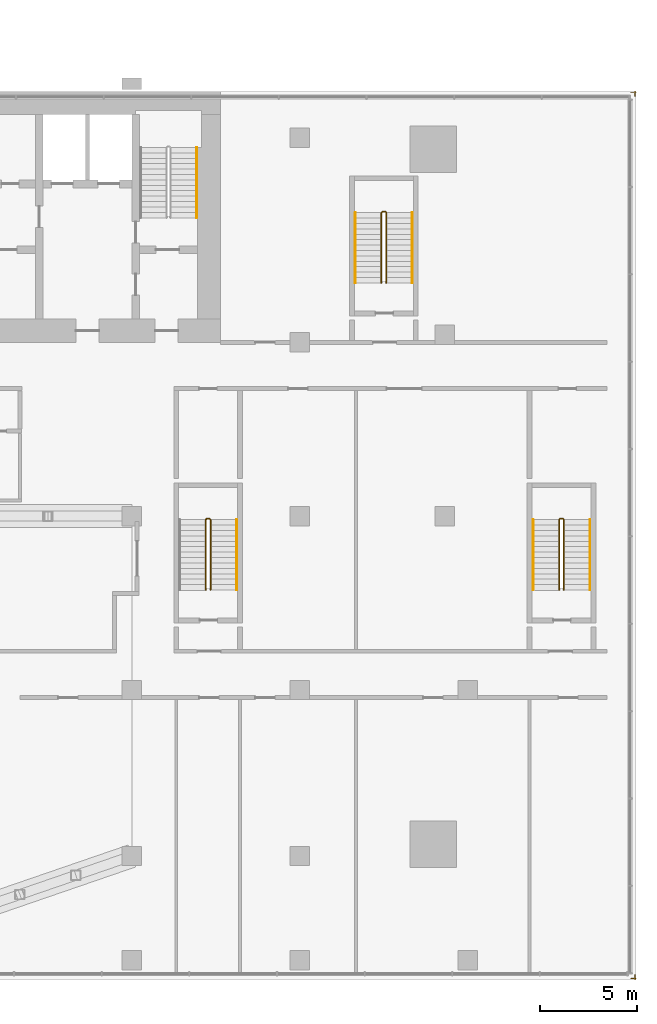
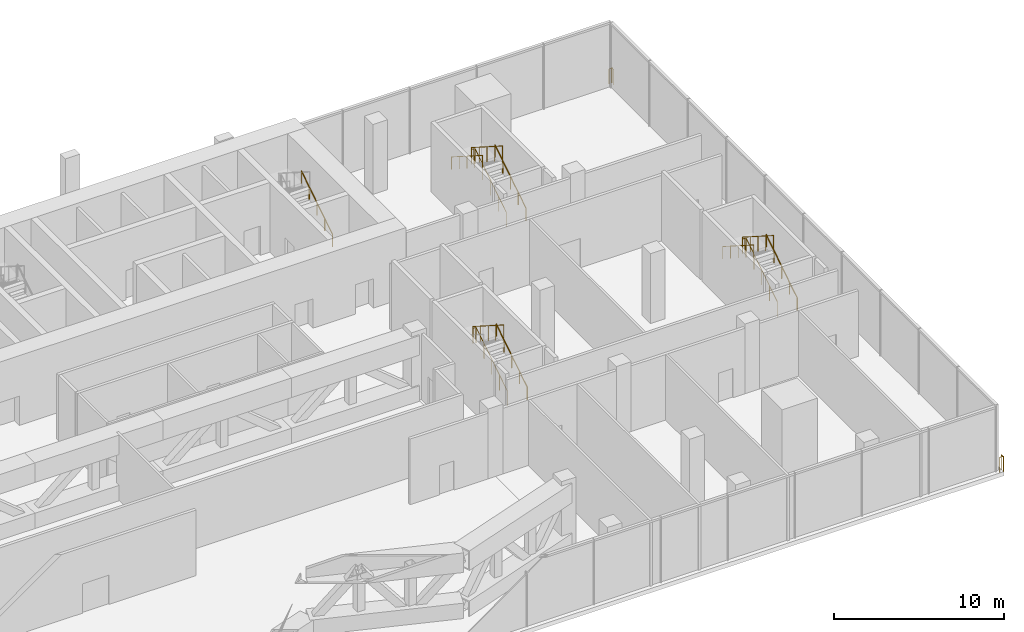
# One storey, part 22 of 22: 11 railings.
"""IFC4 building model written with IfcOpenShell, lengths in metres."""

from ifc_helpers import new_model, si_unit, direction, frame, origin, origin_2d, place, context, subcontext, project, spatial, circle, extrude, material, type_object, element, save


model = new_model("IFC4")

# Units and contexts
model_context = context("Model", 3, precision=1e-05, world=origin(), true_north=direction((0.0, 1.0)))
body_context = subcontext(model_context, "Body", "Model", "MODEL_VIEW")
ifc_project = project(units=[si_unit("LENGTHUNIT", "METRE"), si_unit("AREAUNIT", "SQUARE_METRE"), si_unit("VOLUMEUNIT", "CUBIC_METRE"), si_unit("PLANEANGLEUNIT", "RADIAN"), si_unit("MASSUNIT", "GRAM", prefix="KILO")], contexts=[model_context])

# Site, building, storey
site_placement = place(None, origin())
site = spatial("IfcSite", under=ifc_project, at=site_placement, CompositionType="ELEMENT")
building_placement = place(site_placement, origin())
building = spatial("IfcBuilding", under=site, at=building_placement, Name="Bicima Exchange Tower", CompositionType="ELEMENT")
storey_placement = place(building_placement, frame((0.0, 0.0, 20.0)))
storey = spatial("IfcBuildingStorey", under=building, at=storey_placement, Name="L03", CompositionType="ELEMENT", Elevation=20.0)

# Railings
ifc_material_1 = material(Name="Stainless steel and bonded safety glass", Category="steel")
railing_type_1 = type_object("IfcRailingType", Name="Edge guard 1100", PredefinedType="GUARDRAIL", material=ifc_material_1)
railing_1_placement = place(storey_placement, frame((43.25, -0.050048828125, 0.0)))
element("IfcRailing", 1, at=railing_1_placement, inside=storey, type_object=railing_type_1, Name="Edge guard L03 10", PredefinedType="GUARDRAIL", context=body_context, shape_type="SweptSolid", body=[
    extrude(circle(Radius=0.02392578125, at=origin_2d()), frame((0.0, 0.0, 1.076171875), z_axis=(1.0, 0.0, 0.0), x_axis=(0.0, 1.0, 0.0)), (0.0, 0.0, 1.0), 0.25),
    extrude(circle(Radius=0.02392578125, at=origin_2d()), frame((0.25, 0.0, 1.076171875), z_axis=(-0.707106781187, 0.707106781187, 0.0), x_axis=(-0.707106781187, -0.707106781187, 0.0)), (0.0, 0.0, 1.0), 0.07080078125),
    extrude(circle(Radius=0.02392578125, at=origin_2d()), frame((0.199951171875, 0.050048828125, 1.076171875), z_axis=(0.0, -1.0, 0.0), x_axis=(1.0, 0.0, 0.0)), (0.0, 0.0, 1.0), 0.25),
    extrude(circle(Radius=0.02099609375, at=origin_2d()), origin(), (0.0, 0.0, 1.0), 1.052001953125),
    extrude(circle(Radius=0.02099609375, at=origin_2d()), frame((0.25, 0.0, 0.0)), (0.0, 0.0, 1.0), 1.052001953125),
    extrude(circle(Radius=0.02099609375, at=origin_2d()), frame((0.199951171875, 0.050048828125, 0.0)), (0.0, 0.0, 1.0), 1.052001953125),
    extrude(circle(Radius=0.02099609375, at=origin_2d()), frame((0.199951171875, -0.199951171875, 0.0)), (0.0, 0.0, 1.0), 1.052001953125),
])
railing_2_placement = place(storey_placement, frame((43.449951171875, -45.75, 0.0)))
element("IfcRailing", 2, at=railing_2_placement, inside=storey, type_object=railing_type_1, Name="Edge guard L03 11", PredefinedType="GUARDRAIL", context=body_context, shape_type="SweptSolid", body=[
    extrude(circle(Radius=0.02392578125, at=origin_2d()), frame((0.0, 0.0, 1.076171875), z_axis=(0.0, -1.0, 0.0), x_axis=(1.0, 0.0, 0.0)), (0.0, 0.0, 1.0), 0.25),
    extrude(circle(Radius=0.02392578125, at=origin_2d()), frame((0.0, -0.25, 1.076171875), z_axis=(0.707106781187, 0.707106781187, 0.0), x_axis=(-0.707106781187, 0.707106781187, 0.0)), (0.0, 0.0, 1.0), 0.07080078125),
    extrude(circle(Radius=0.02392578125, at=origin_2d()), frame((0.050048828125, -0.199951171875, 1.076171875), z_axis=(-1.0, 0.0, 0.0), x_axis=(0.0, -1.0, 0.0)), (0.0, 0.0, 1.0), 0.25),
    extrude(circle(Radius=0.02099609375, at=origin_2d()), origin(), (0.0, 0.0, 1.0), 1.052001953125),
    extrude(circle(Radius=0.02099609375, at=origin_2d()), frame((0.0, -0.25, 0.0)), (0.0, 0.0, 1.0), 1.052001953125),
    extrude(circle(Radius=0.02099609375, at=origin_2d()), frame((0.050048828125, -0.199951171875, 0.0)), (0.0, 0.0, 1.0), 1.052001953125),
    extrude(circle(Radius=0.02099609375, at=origin_2d()), frame((-0.199951171875, -0.199951171875, 0.0)), (0.0, 0.0, 1.0), 1.052001953125),
])
ifc_material_2 = material(Name="Stainless steel", Category="steel")
railing_type_2 = type_object("IfcRailingType", Name="Stair guard 1100", PredefinedType="GUARDRAIL", material=ifc_material_2)
railing_3_placement = place(storey_placement, frame((30.574951171875, -9.925048828125, 0.178466796875)))
element("IfcRailing", 3, at=railing_3_placement, inside=storey, type_object=railing_type_2, Name="L03 ST-EE stair guard 1", PredefinedType="GUARDRAIL", context=body_context, shape_type="SweptSolid", body=[
    extrude(circle(Radius=0.02392578125, at=origin_2d()), frame((0.0, 0.0, 1.076171875), z_axis=(0.0, 0.843127859045, 0.537713132908), x_axis=(-1.0, 0.0, 0.0)), (0.0, 0.0, 1.0), 4.3173828125),
    extrude(circle(Radius=0.02392578125, at=origin_2d()), frame((0.0, 3.64013671875, 3.3974609375), z_axis=(-0.708833529934, 0.705375805398, 0.0), x_axis=(-0.705375805398, -0.708833529934, 0.0)), (0.0, 0.0, 1.0), 0.070556640625),
    extrude(circle(Radius=0.02392578125, at=origin_2d()), frame((-0.050048828125, 3.68994140625, 3.3974609375), z_axis=(-1.0, 0.0, 0.0), x_axis=(0.0, -1.0, 0.0)), (0.0, 0.0, 1.0), 0.14990234375),
    extrude(circle(Radius=0.02392578125, at=origin_2d()), frame((-0.199951171875, 3.68994140625, 3.3974609375), z_axis=(-0.26077077684, -0.25949872427, 0.929870428634), x_axis=(0.705375805398, -0.708833529934, 0.0)), (0.0, 0.0, 1.0), 0.19189453125),
    extrude(circle(Radius=0.02392578125, at=origin_2d()), frame((-0.25, 3.64013671875, 3.576171875), z_axis=(0.0, -0.843127859045, 0.537713132908), x_axis=(1.0, 0.0, 0.0)), (0.0, 0.0, 1.0), 4.3173828125),
    extrude(circle(Radius=0.02099609375, at=origin_2d()), origin(), (0.0, 0.0, 1.0), 1.052001953125),
    extrude(circle(Radius=0.02099609375, at=origin_2d()), frame((0.0, 0.91015625, 0.580322265625)), (0.0, 0.0, 1.0), 1.052001953125),
    extrude(circle(Radius=0.02099609375, at=origin_2d()), frame((0.0, 1.820068359375, 1.16064453125)), (0.0, 0.0, 1.0), 1.052001953125),
    extrude(circle(Radius=0.02099609375, at=origin_2d()), frame((0.0, 2.72998046875, 1.7412109375)), (0.0, 0.0, 1.0), 1.052001953125),
    extrude(circle(Radius=0.02099609375, at=origin_2d()), frame((0.0, 3.64013671875, 2.321533203125)), (0.0, 0.0, 1.0), 1.052001953125),
    extrude(circle(Radius=0.02099609375, at=origin_2d()), frame((-0.050048828125, 3.68994140625, 2.321533203125)), (0.0, 0.0, 1.0), 1.052001953125),
    extrude(circle(Radius=0.02099609375, at=origin_2d()), frame((-0.199951171875, 3.68994140625, 2.321533203125)), (0.0, 0.0, 1.0), 1.052001953125),
    extrude(circle(Radius=0.02099609375, at=origin_2d()), frame((-0.25, 3.64013671875, 2.5)), (0.0, 0.0, 1.0), 1.052001953125),
    extrude(circle(Radius=0.02099609375, at=origin_2d()), frame((-0.25, 2.72998046875, 3.080322265625)), (0.0, 0.0, 1.0), 1.052001953125),
    extrude(circle(Radius=0.02099609375, at=origin_2d()), frame((-0.25, 1.820068359375, 3.66064453125)), (0.0, 0.0, 1.0), 1.052001953125),
    extrude(circle(Radius=0.02099609375, at=origin_2d()), frame((-0.25, 0.91015625, 4.2412109375)), (0.0, 0.0, 1.0), 1.052001953125),
    extrude(circle(Radius=0.02099609375, at=origin_2d()), frame((-0.25, 0.0, 4.821533203125)), (0.0, 0.0, 1.0), 1.052001953125),
])
railing_4_placement = place(storey_placement, frame((21.47509765625, -25.824951171875, 0.178466796875)))
element("IfcRailing", 4, at=railing_4_placement, inside=storey, type_object=railing_type_2, Name="L03 PS-EI stair guard 1", PredefinedType="GUARDRAIL", context=body_context, shape_type="SweptSolid", body=[
    extrude(circle(Radius=0.02392578125, at=origin_2d()), frame((0.0, 0.0, 1.076171875), z_axis=(0.0, 0.843111507901, 0.53773877045), x_axis=(-1.0, 0.0, 0.0)), (0.0, 0.0, 1.0), 4.317138671875),
    extrude(circle(Radius=0.02392578125, at=origin_2d()), frame((0.0, 3.639892578125, 3.3974609375), z_axis=(-0.707106781187, 0.707106781187, 0.0), x_axis=(-0.707106781187, -0.707106781187, 0.0)), (0.0, 0.0, 1.0), 0.07080078125),
    extrude(circle(Radius=0.02392578125, at=origin_2d()), frame((-0.050048828125, 3.68994140625, 3.3974609375), z_axis=(-1.0, 0.0, 0.0), x_axis=(0.0, -1.0, 0.0)), (0.0, 0.0, 1.0), 0.150146484375),
    extrude(circle(Radius=0.02392578125, at=origin_2d()), frame((-0.2001953125, 3.68994140625, 3.3974609375), z_axis=(-0.25949872427, -0.26077077684, 0.929870428634), x_axis=(0.708833529934, -0.705375805398, 0.0)), (0.0, 0.0, 1.0), 0.19189453125),
    extrude(circle(Radius=0.02392578125, at=origin_2d()), frame((-0.25, 3.639892578125, 3.576171875), z_axis=(0.0, -0.843111507901, 0.53773877045), x_axis=(1.0, 0.0, 0.0)), (0.0, 0.0, 1.0), 4.317138671875),
    extrude(circle(Radius=0.02099609375, at=origin_2d()), origin(), (0.0, 0.0, 1.0), 1.052001953125),
    extrude(circle(Radius=0.02099609375, at=origin_2d()), frame((0.0, 0.909912109375, 0.580322265625)), (0.0, 0.0, 1.0), 1.052001953125),
    extrude(circle(Radius=0.02099609375, at=origin_2d()), frame((0.0, 1.81982421875, 1.16064453125)), (0.0, 0.0, 1.0), 1.052001953125),
    extrude(circle(Radius=0.02099609375, at=origin_2d()), frame((0.0, 2.72998046875, 1.7412109375)), (0.0, 0.0, 1.0), 1.052001953125),
    extrude(circle(Radius=0.02099609375, at=origin_2d()), frame((0.0, 3.639892578125, 2.321533203125)), (0.0, 0.0, 1.0), 1.052001953125),
    extrude(circle(Radius=0.02099609375, at=origin_2d()), frame((-0.050048828125, 3.68994140625, 2.321533203125)), (0.0, 0.0, 1.0), 1.052001953125),
    extrude(circle(Radius=0.02099609375, at=origin_2d()), frame((-0.2001953125, 3.68994140625, 2.321533203125)), (0.0, 0.0, 1.0), 1.052001953125),
    extrude(circle(Radius=0.02099609375, at=origin_2d()), frame((-0.25, 3.639892578125, 2.5)), (0.0, 0.0, 1.0), 1.052001953125),
    extrude(circle(Radius=0.02099609375, at=origin_2d()), frame((-0.25, 2.72998046875, 3.080322265625)), (0.0, 0.0, 1.0), 1.052001953125),
    extrude(circle(Radius=0.02099609375, at=origin_2d()), frame((-0.25, 1.81982421875, 3.66064453125)), (0.0, 0.0, 1.0), 1.052001953125),
    extrude(circle(Radius=0.02099609375, at=origin_2d()), frame((-0.25, 0.909912109375, 4.2412109375)), (0.0, 0.0, 1.0), 1.052001953125),
    extrude(circle(Radius=0.02099609375, at=origin_2d()), frame((-0.25, 0.0, 4.821533203125)), (0.0, 0.0, 1.0), 1.052001953125),
])
railing_5_placement = place(storey_placement, frame((39.77490234375, -25.824951171875, 0.178466796875)))
element("IfcRailing", 5, at=railing_5_placement, inside=storey, type_object=railing_type_2, Name="L03 PS-E stair guard 1", PredefinedType="GUARDRAIL", context=body_context, shape_type="SweptSolid", body=[
    extrude(circle(Radius=0.02392578125, at=origin_2d()), frame((0.0, 0.0, 1.076171875), z_axis=(0.0, 0.843111507901, 0.53773877045), x_axis=(-1.0, 0.0, 0.0)), (0.0, 0.0, 1.0), 4.317138671875),
    extrude(circle(Radius=0.02392578125, at=origin_2d()), frame((0.0, 3.639892578125, 3.3974609375), z_axis=(-0.705375805398, 0.708833529934, 0.0), x_axis=(-0.708833529934, -0.705375805398, 0.0)), (0.0, 0.0, 1.0), 0.070556640625),
    extrude(circle(Radius=0.02392578125, at=origin_2d()), frame((-0.0498046875, 3.68994140625, 3.3974609375), z_axis=(-1.0, 0.0, 0.0), x_axis=(0.0, -1.0, 0.0)), (0.0, 0.0, 1.0), 0.150146484375),
    extrude(circle(Radius=0.02392578125, at=origin_2d()), frame((-0.199951171875, 3.68994140625, 3.3974609375), z_axis=(-0.260684529273, -0.260684529273, 0.929562882432), x_axis=(0.707106781187, -0.707106781187, 0.0)), (0.0, 0.0, 1.0), 0.19189453125),
    extrude(circle(Radius=0.02392578125, at=origin_2d()), frame((-0.25, 3.639892578125, 3.576171875), z_axis=(0.0, -0.843111507901, 0.53773877045), x_axis=(1.0, 0.0, 0.0)), (0.0, 0.0, 1.0), 4.317138671875),
    extrude(circle(Radius=0.02099609375, at=origin_2d()), origin(), (0.0, 0.0, 1.0), 1.052001953125),
    extrude(circle(Radius=0.02099609375, at=origin_2d()), frame((0.0, 0.909912109375, 0.580322265625)), (0.0, 0.0, 1.0), 1.052001953125),
    extrude(circle(Radius=0.02099609375, at=origin_2d()), frame((0.0, 1.81982421875, 1.16064453125)), (0.0, 0.0, 1.0), 1.052001953125),
    extrude(circle(Radius=0.02099609375, at=origin_2d()), frame((0.0, 2.72998046875, 1.7412109375)), (0.0, 0.0, 1.0), 1.052001953125),
    extrude(circle(Radius=0.02099609375, at=origin_2d()), frame((0.0, 3.639892578125, 2.321533203125)), (0.0, 0.0, 1.0), 1.052001953125),
    extrude(circle(Radius=0.02099609375, at=origin_2d()), frame((-0.0498046875, 3.68994140625, 2.321533203125)), (0.0, 0.0, 1.0), 1.052001953125),
    extrude(circle(Radius=0.02099609375, at=origin_2d()), frame((-0.199951171875, 3.68994140625, 2.321533203125)), (0.0, 0.0, 1.0), 1.052001953125),
    extrude(circle(Radius=0.02099609375, at=origin_2d()), frame((-0.25, 3.639892578125, 2.5)), (0.0, 0.0, 1.0), 1.052001953125),
    extrude(circle(Radius=0.02099609375, at=origin_2d()), frame((-0.25, 2.72998046875, 3.080322265625)), (0.0, 0.0, 1.0), 1.052001953125),
    extrude(circle(Radius=0.02099609375, at=origin_2d()), frame((-0.25, 1.81982421875, 3.66064453125)), (0.0, 0.0, 1.0), 1.052001953125),
    extrude(circle(Radius=0.02099609375, at=origin_2d()), frame((-0.25, 0.909912109375, 4.2412109375)), (0.0, 0.0, 1.0), 1.052001953125),
    extrude(circle(Radius=0.02099609375, at=origin_2d()), frame((-0.25, 0.0, 4.821533203125)), (0.0, 0.0, 1.0), 1.052001953125),
])
railing_type_3 = type_object("IfcRailingType", Name="Stair handrail 900", PredefinedType="HANDRAIL", material=ifc_material_2)
for number, where, name in (
    (6, (20.75, -6.550048828125, 0.178466796875), "L03 ST-E stair handrail 1"),
    (7, (31.925048828125, -9.925048828125, 0.178466796875), "L03 ST-EE stair handrail 1"),
):
    element("IfcRailing", number, at=place(storey_placement, frame(where)), inside=storey, type_object=railing_type_3, Name=name, PredefinedType="HANDRAIL", context=body_context, shape_type="SweptSolid", body=[
        extrude(circle(Radius=0.02392578125, at=origin_2d()), frame((0.0, 0.0, 0.8759765625), z_axis=(0.0, 0.843127859045, 0.537713132908), x_axis=(-1.0, 0.0, 0.0)), (0.0, 0.0, 1.0), 4.3173828125),
        extrude(circle(Radius=0.02099609375, at=origin_2d()), origin(), (0.0, 0.0, 1.0), 0.851806640625),
        extrude(circle(Radius=0.02099609375, at=origin_2d()), frame((0.0, 0.91015625, 0.580322265625)), (0.0, 0.0, 1.0), 0.851806640625),
        extrude(circle(Radius=0.02099609375, at=origin_2d()), frame((0.0, 1.820068359375, 1.16064453125)), (0.0, 0.0, 1.0), 0.851806640625),
        extrude(circle(Radius=0.02099609375, at=origin_2d()), frame((0.0, 2.72998046875, 1.7412109375)), (0.0, 0.0, 1.0), 0.851806640625),
        extrude(circle(Radius=0.02099609375, at=origin_2d()), frame((0.0, 3.64013671875, 2.321533203125)), (0.0, 0.0, 1.0), 0.851806640625),
    ])
railing_6_placement = place(storey_placement, frame((28.97509765625, -6.284912109375, 2.678466796875)))
element("IfcRailing", 8, at=railing_6_placement, inside=storey, type_object=railing_type_3, Name="L03 ST-EE stair handrail 2", PredefinedType="HANDRAIL", context=body_context, shape_type="SweptSolid", body=[
    extrude(circle(Radius=0.02392578125, at=origin_2d()), frame((0.0, 0.0, 0.8759765625), z_axis=(0.0, -0.843127859045, 0.537713132908), x_axis=(1.0, 0.0, 0.0)), (0.0, 0.0, 1.0), 4.3173828125),
    extrude(circle(Radius=0.02099609375, at=origin_2d()), origin(), (0.0, 0.0, 1.0), 0.851806640625),
    extrude(circle(Radius=0.02099609375, at=origin_2d()), frame((0.0, -0.91015625, 0.580322265625)), (0.0, 0.0, 1.0), 0.851806640625),
    extrude(circle(Radius=0.02099609375, at=origin_2d()), frame((0.0, -1.820068359375, 1.16064453125)), (0.0, 0.0, 1.0), 0.851806640625),
    extrude(circle(Radius=0.02099609375, at=origin_2d()), frame((0.0, -2.72998046875, 1.7412109375)), (0.0, 0.0, 1.0), 0.851806640625),
    extrude(circle(Radius=0.02099609375, at=origin_2d()), frame((0.0, -3.64013671875, 2.321533203125)), (0.0, 0.0, 1.0), 0.851806640625),
])
for number, where, name in (
    (9, (22.824951171875, -25.824951171875, 0.178466796875), "L03 PS-EI stair handrail 1"),
    (10, (41.125, -25.824951171875, 0.178466796875), "L03 PS-E stair handrail 1"),
):
    element("IfcRailing", number, at=place(storey_placement, frame(where)), inside=storey, type_object=railing_type_3, Name=name, PredefinedType="HANDRAIL", context=body_context, shape_type="SweptSolid", body=[
        extrude(circle(Radius=0.02392578125, at=origin_2d()), frame((0.0, 0.0, 0.8759765625), z_axis=(0.0, 0.843111507901, 0.53773877045), x_axis=(-1.0, 0.0, 0.0)), (0.0, 0.0, 1.0), 4.317138671875),
        extrude(circle(Radius=0.02099609375, at=origin_2d()), origin(), (0.0, 0.0, 1.0), 0.851806640625),
        extrude(circle(Radius=0.02099609375, at=origin_2d()), frame((0.0, 0.909912109375, 0.580322265625)), (0.0, 0.0, 1.0), 0.851806640625),
        extrude(circle(Radius=0.02099609375, at=origin_2d()), frame((0.0, 1.81982421875, 1.16064453125)), (0.0, 0.0, 1.0), 0.851806640625),
        extrude(circle(Radius=0.02099609375, at=origin_2d()), frame((0.0, 2.72998046875, 1.7412109375)), (0.0, 0.0, 1.0), 0.851806640625),
        extrude(circle(Radius=0.02099609375, at=origin_2d()), frame((0.0, 3.639892578125, 2.321533203125)), (0.0, 0.0, 1.0), 0.851806640625),
    ])
railing_7_placement = place(storey_placement, frame((38.175048828125, -22.18505859375, 2.678466796875)))
element("IfcRailing", 11, at=railing_7_placement, inside=storey, type_object=railing_type_3, Name="L03 PS-E stair handrail 2", PredefinedType="HANDRAIL", context=body_context, shape_type="SweptSolid", body=[
    extrude(circle(Radius=0.02392578125, at=origin_2d()), frame((0.0, 0.0, 0.8759765625), z_axis=(0.0, -0.843111507901, 0.53773877045), x_axis=(1.0, 0.0, 0.0)), (0.0, 0.0, 1.0), 4.317138671875),
    extrude(circle(Radius=0.02099609375, at=origin_2d()), origin(), (0.0, 0.0, 1.0), 0.851806640625),
    extrude(circle(Radius=0.02099609375, at=origin_2d()), frame((0.0, -0.909912109375, 0.580322265625)), (0.0, 0.0, 1.0), 0.851806640625),
    extrude(circle(Radius=0.02099609375, at=origin_2d()), frame((0.0, -1.81982421875, 1.16064453125)), (0.0, 0.0, 1.0), 0.851806640625),
    extrude(circle(Radius=0.02099609375, at=origin_2d()), frame((0.0, -2.72998046875, 1.7412109375)), (0.0, 0.0, 1.0), 0.851806640625),
    extrude(circle(Radius=0.02099609375, at=origin_2d()), frame((0.0, -3.639892578125, 2.321533203125)), (0.0, 0.0, 1.0), 0.851806640625),
])

save(model, "model.ifc")
